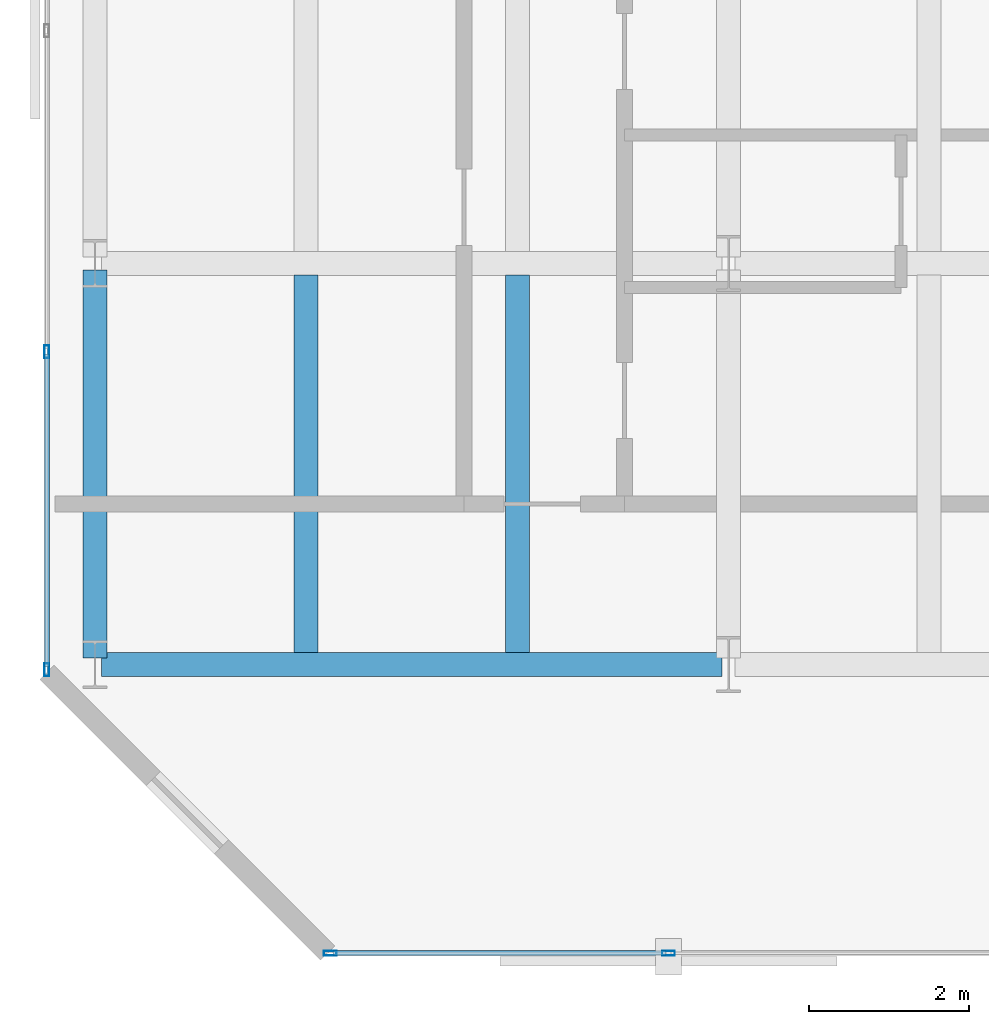
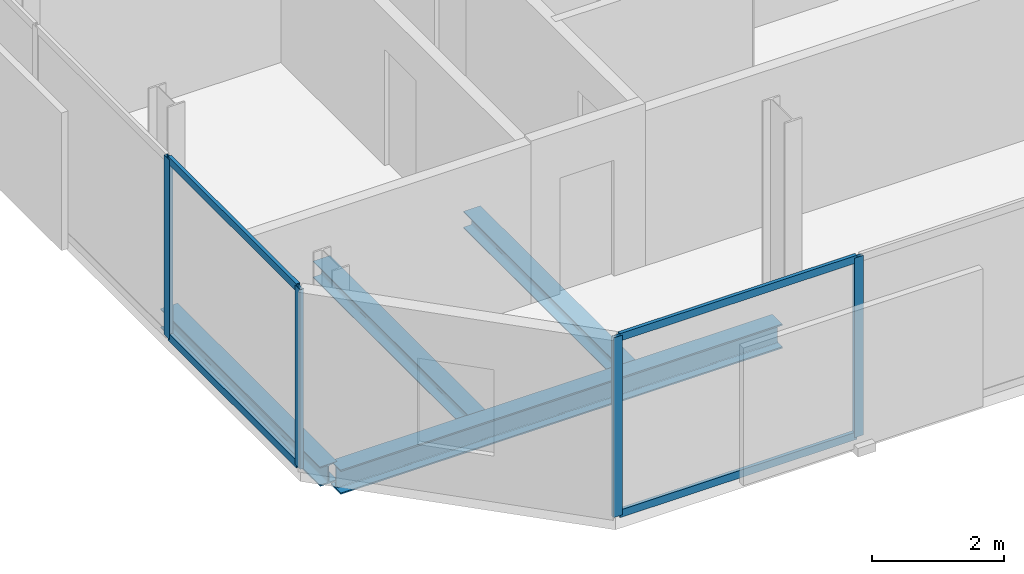
# One storey, part 3 of 32: 8 members, 4 beams, 2 elements without a shape of their own.
"""IFC4 building model written with IfcOpenShell, lengths in metres."""

from ifc_helpers import new_model, si_unit, direction, frame, origin, origin_2d, place, context, subcontext, project, spatial, hollow_rectangle, i_section, extrude, material, layer, layer_set, material_profile, profile_set, type_object, element, aggregate, save


model = new_model("IFC4")

# Units and contexts
model_context = context("Model", 3, precision=1e-05, world=origin(), true_north=direction((0.0, 1.0)))
body_context = subcontext(model_context, "Body", "Model", "MODEL_VIEW")
ifc_project = project(units=[si_unit("LENGTHUNIT", "METRE"), si_unit("AREAUNIT", "SQUARE_METRE"), si_unit("VOLUMEUNIT", "CUBIC_METRE"), si_unit("PLANEANGLEUNIT", "RADIAN"), si_unit("MASSUNIT", "GRAM", prefix="KILO")], contexts=[model_context])

# Site, building, storey
site_placement = place(None, origin())
site = spatial("IfcSite", under=ifc_project, at=site_placement, CompositionType="ELEMENT")
building_placement = place(site_placement, origin())
building = spatial("IfcBuilding", under=site, at=building_placement, Name="Catumbela Crestline Tower", CompositionType="ELEMENT")
storey_placement = place(building_placement, frame((0.0, 0.0, 126.0)))
storey = spatial("IfcBuildingStorey", under=building, at=storey_placement, Name="L32", CompositionType="ELEMENT", Elevation=126.0)

# Beams
ifc_material_1 = material(Name="Structural steel S355J2", Category="steel")
ifc_material_profile_1 = material_profile(ifc_material_1, i_section(OverallWidth=0.3, OverallDepth=0.45, WebThickness=0.014, FlangeThickness=0.026, FilletRadius=0.027, at=origin_2d()), Name="HEB 450")
ifc_profile_set_1 = profile_set([ifc_material_profile_1], Name="Structural steel S355J2")
beam_type_1 = type_object("IfcBeamType", Name="BG-HEB450", PredefinedType="BEAM", material=ifc_profile_set_1)
beam_1_placement = place(storey_placement, frame((0.68, 8.6, -0.485), z_axis=(1.0, 0.0, 0.0), x_axis=(0.0, 1.0, 0.0)))
element("IfcBeam", 1, at=beam_1_placement, inside=storey, type_object=beam_type_1, Name="L32 Beam BM-L32-WEW43", PredefinedType="BEAM", context=body_context, shape_type="SweptSolid", body=[
    extrude(i_section(OverallWidth=0.3, OverallDepth=0.45, WebThickness=0.014, FlangeThickness=0.026, FilletRadius=0.027, at=origin_2d()), origin(), (0.0, 0.0, 1.0), 7.74),
])
ifc_material_profile_2 = material_profile(ifc_material_1, i_section(OverallWidth=0.3, OverallDepth=0.31, WebThickness=0.009, FlangeThickness=0.0155, FilletRadius=0.027, at=origin_2d()), Name="HEA 320")
ifc_profile_set_2 = profile_set([ifc_material_profile_2], Name="Structural steel S355J2")
beam_type_2 = type_object("IfcBeamType", Name="BJ-HEA320", PredefinedType="JOIST", material=ifc_profile_set_2)
for number, where, z_axis, x_axis, name in (
    (2, (3.233, 8.747, -0.415), (0.0, 1.0, 0.0), (-1.0, 0.0, 0.0), "L32 Joist JS-L32-WG63"),
    (3, (5.867, 8.747, -0.415), (0.0, 1.0, 0.0), (-1.0, 0.0, 0.0), "L32 Joist JS-L32-WG64"),
):
    element("IfcBeam", number, at=place(storey_placement, frame(where, z_axis=z_axis, x_axis=x_axis)), inside=storey, type_object=beam_type_2, Name=name, PredefinedType="JOIST", context=body_context, shape_type="SweptSolid", body=[
        extrude(i_section(OverallWidth=0.3, OverallDepth=0.31, WebThickness=0.009, FlangeThickness=0.0155, FilletRadius=0.027, at=origin_2d()), origin(), (0.0, 0.0, 1.0), 4.706),
    ])

# Curtain wall, members
ifc_material_2 = material(Name="Aluminium alloy AW-6060-T66", Category="aluminium")
ifc_layer = layer(ifc_material_2, 0.18, Name="Aluminium alloy AW-6060-T66")
ifc_layer_set = layer_set([ifc_layer], Name="Aluminium alloy AW-6060-T66")
curtain_wall_type = type_object("IfcCurtainWallType", Name="CWU-Z2", PredefinedType="USERDEFINED", material=ifc_layer_set)
curtain_wall_1_placement = place(storey_placement, origin())
curtain_wall_1 = element("IfcCurtainWall", 4, at=curtain_wall_1_placement, inside=storey, type_object=curtain_wall_type, Name="L32 Unitised Curtain Wall CW-L32-E0S1", ObjectType="UNITISED", PredefinedType="USERDEFINED")
ifc_material_profile_3 = material_profile(ifc_material_2, hollow_rectangle(XDim=0.06, YDim=0.16, WallThickness=0.004, at=origin_2d()), Name="ALU 160x60x4")
ifc_profile_set_3 = profile_set([ifc_material_profile_3], Name="Aluminium alloy AW-6060-T66")
member_type_1 = type_object("IfcMemberType", Name="MUL-160X60", PredefinedType="MULLION", material=ifc_profile_set_3)
member_1_placement = place(storey_placement, frame((3.5325, 5.0, 0.0), z_axis=(0.0, 0.0, 1.0), x_axis=(0.0, 1.0, 0.0)))
member_1 = element("IfcMember", 5, at=member_1_placement, type_object=member_type_1, Name="CWU-Z2 mullion 1", PredefinedType="MULLION", context=body_context, shape_type="SweptSolid", body=[
    extrude(hollow_rectangle(XDim=0.06, YDim=0.16, WallThickness=0.004, at=origin_2d()), origin(), (0.0, 0.0, 1.0), 3.33),
])
member_2_placement = place(storey_placement, frame((7.75, 5.0, 0.0), z_axis=(0.0, 0.0, 1.0), x_axis=(0.0, 1.0, 0.0)))
member_2 = element("IfcMember", 6, at=member_2_placement, type_object=member_type_1, Name="CWU-Z2 mullion 2", PredefinedType="MULLION", context=body_context, shape_type="SweptSolid", body=[
    extrude(hollow_rectangle(XDim=0.06, YDim=0.16, WallThickness=0.004, at=origin_2d()), origin(), (0.0, 0.0, 1.0), 3.33),
])

curtain_wall_2_placement = place(storey_placement, origin())
curtain_wall_2 = element("IfcCurtainWall", 7, at=curtain_wall_2_placement, inside=storey, type_object=curtain_wall_type, Name="L32 Unitised Curtain Wall CW-L32-E9S1", ObjectType="UNITISED", PredefinedType="USERDEFINED")
member_3_placement = place(storey_placement, frame((0.0, 12.5, 0.0), z_axis=(0.0, 0.0, 1.0), x_axis=(1.0, 0.0, 0.0)))
member_3 = element("IfcMember", 8, at=member_3_placement, type_object=member_type_1, Name="CWU-Z2 mullion 9", PredefinedType="MULLION", context=body_context, shape_type="SweptSolid", body=[
    extrude(hollow_rectangle(XDim=0.06, YDim=0.16, WallThickness=0.004, at=origin_2d()), origin(), (0.0, 0.0, 1.0), 3.33),
])
member_4_placement = place(storey_placement, frame((0.0, 8.5325, 0.0), z_axis=(0.0, 0.0, 1.0), x_axis=(1.0, 0.0, 0.0)))
member_4 = element("IfcMember", 9, at=member_4_placement, type_object=member_type_1, Name="CWU-Z2 mullion 10", PredefinedType="MULLION", context=body_context, shape_type="SweptSolid", body=[
    extrude(hollow_rectangle(XDim=0.06, YDim=0.16, WallThickness=0.004, at=origin_2d()), origin(), (0.0, 0.0, 1.0), 3.33),
])

# Beam
ifc_material_profile_4 = material_profile(ifc_material_1, i_section(OverallWidth=0.3, OverallDepth=0.36, WebThickness=0.0125, FlangeThickness=0.0225, FilletRadius=0.027, at=origin_2d()), Name="HEB 360")
ifc_profile_set_4 = profile_set([ifc_material_profile_4], Name="Structural steel S355J2")
beam_type_3 = type_object("IfcBeamType", Name="BS-HEB360", PredefinedType="SPANDREL", material=ifc_profile_set_4)
beam_2_placement = place(storey_placement, frame((0.6, 8.68, -0.44), z_axis=(0.0, 1.0, 0.0), x_axis=(-1.0, 0.0, 0.0)))
element("IfcBeam", 10, at=beam_2_placement, inside=storey, type_object=beam_type_3, Name="L32 Spandrel SP-L32-WNS52", PredefinedType="SPANDREL", context=body_context, shape_type="SweptSolid", body=[
    extrude(i_section(OverallWidth=0.3, OverallDepth=0.36, WebThickness=0.0125, FlangeThickness=0.0225, FilletRadius=0.027, at=origin_2d()), origin(), (0.0, 0.0, 1.0), 4.84),
])

# Member
ifc_material_profile_5 = material_profile(ifc_material_2, hollow_rectangle(XDim=0.06, YDim=0.14, WallThickness=0.004, at=origin_2d()), Name="ALU 140x60x4")
ifc_profile_set_5 = profile_set([ifc_material_profile_5], Name="Aluminium alloy AW-6060-T66")
member_type_2 = type_object("IfcMemberType", Name="TRN-140X60", PredefinedType="USERDEFINED", material=ifc_profile_set_5)
member_5_placement = place(storey_placement, frame((3.565, 5.0, 0.03), z_axis=(1.0, 0.0, 0.0), x_axis=(0.0, 1.0, 0.0)))
member_5 = element("IfcMember", 11, at=member_5_placement, type_object=member_type_2, Name="CWU-Z2 transom 1.1", ObjectType="TRANSOM", PredefinedType="USERDEFINED", context=body_context, shape_type="SweptSolid", body=[
    extrude(hollow_rectangle(XDim=0.06, YDim=0.14, WallThickness=0.004, at=origin_2d()), origin(), (0.0, 0.0, 1.0), 4.1525),
])

member_6_placement = place(storey_placement, frame((3.565, 5.0, 3.3), z_axis=(1.0, 0.0, 0.0), x_axis=(0.0, 1.0, 0.0)))
member_6 = element("IfcMember", 12, at=member_6_placement, type_object=member_type_2, Name="CWU-Z2 transom 1.2", ObjectType="TRANSOM", PredefinedType="USERDEFINED", context=body_context, shape_type="SweptSolid", body=[
    extrude(hollow_rectangle(XDim=0.06, YDim=0.14, WallThickness=0.004, at=origin_2d()), origin(), (0.0, 0.0, 1.0), 4.1525),
])

aggregate(curtain_wall_1, [member_1, member_2, member_5, member_6])

member_7_placement = place(storey_placement, frame((0.0, 12.4675, 0.03), z_axis=(0.0, -1.0, 0.0), x_axis=(1.0, 0.0, 0.0)))
member_7 = element("IfcMember", 13, at=member_7_placement, type_object=member_type_2, Name="CWU-Z2 transom 9.1", ObjectType="TRANSOM", PredefinedType="USERDEFINED", context=body_context, shape_type="SweptSolid", body=[
    extrude(hollow_rectangle(XDim=0.06, YDim=0.14, WallThickness=0.004, at=origin_2d()), origin(), (0.0, 0.0, 1.0), 3.9025),
])

member_8_placement = place(storey_placement, frame((0.0, 12.4675, 3.3), z_axis=(0.0, -1.0, 0.0), x_axis=(1.0, 0.0, 0.0)))
member_8 = element("IfcMember", 14, at=member_8_placement, type_object=member_type_2, Name="CWU-Z2 transom 9.2", ObjectType="TRANSOM", PredefinedType="USERDEFINED", context=body_context, shape_type="SweptSolid", body=[
    extrude(hollow_rectangle(XDim=0.06, YDim=0.14, WallThickness=0.004, at=origin_2d()), origin(), (0.0, 0.0, 1.0), 3.9025),
])

aggregate(curtain_wall_2, [member_3, member_4, member_7, member_8])

save(model, "model.ifc")
